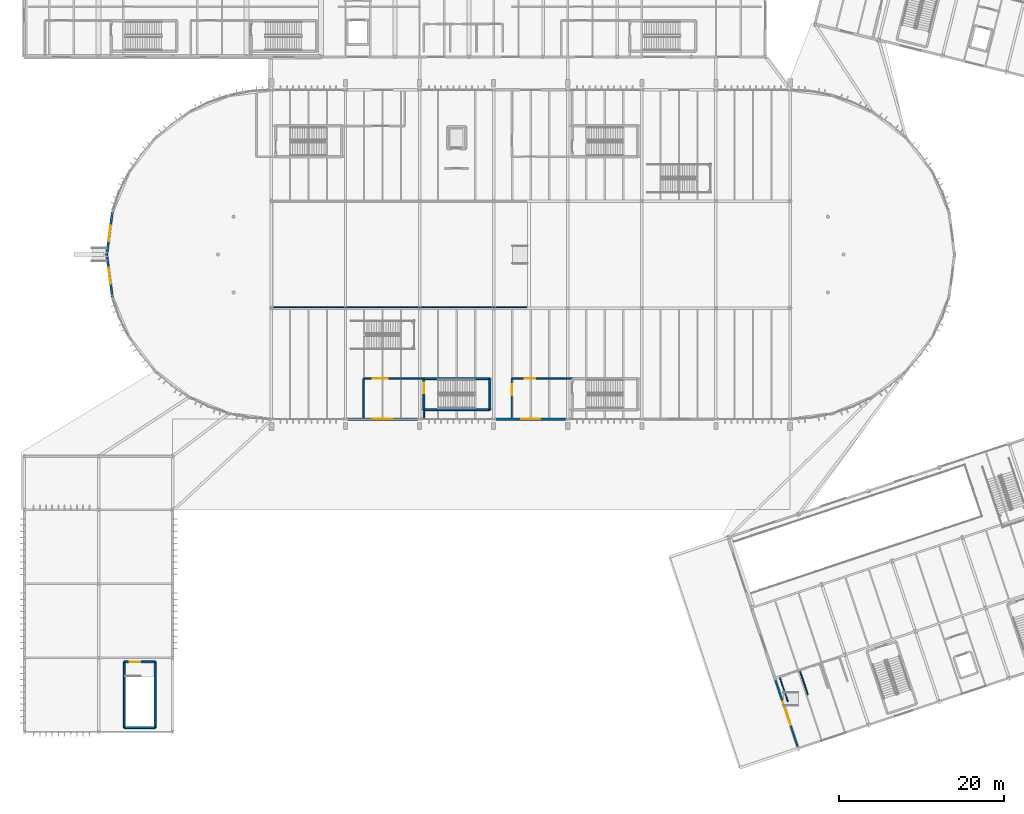
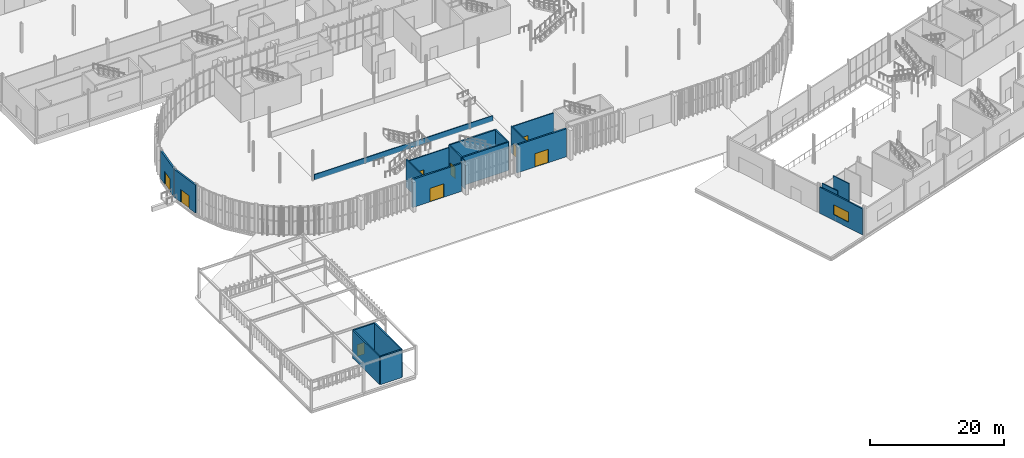
# One storey, part 120 of 158: 21 walls, 9 doors, 1 window, 10 openings.
"""IFC4 building model written with IfcOpenShell, lengths in metres."""

from ifc_helpers import new_model, si_unit, derived_unit, direction, frame, frame_2d, origin, place, context, subcontext, project, spatial, rectangle, extrude, material, layer, layer_set, type_object, element, fill, save


model = new_model("IFC4")

# Units and contexts
model_context = context("Model", 3, precision=1e-05, world=origin(), true_north=direction((0.0, 1.0)))
body_context = subcontext(model_context, "Body", "Model", "MODEL_VIEW")
ifc_project = project(units=[si_unit("LENGTHUNIT", "METRE"), si_unit("AREAUNIT", "SQUARE_METRE"), si_unit("VOLUMEUNIT", "CUBIC_METRE"), si_unit("PLANEANGLEUNIT", "RADIAN"), si_unit("MASSUNIT", "GRAM", prefix="KILO"), si_unit("THERMODYNAMICTEMPERATUREUNIT", "KELVIN"), si_unit("TIMEUNIT", "SECOND"), derived_unit("THERMALTRANSMITTANCEUNIT", [(si_unit("MASSUNIT", "GRAM", prefix="KILO"), 1), (si_unit("THERMODYNAMICTEMPERATUREUNIT", "KELVIN"), -1), (si_unit("TIMEUNIT", "SECOND"), -3)])], contexts=[model_context])

# Site, building, storey
site_placement = place(None, origin())
site = spatial("IfcSite", under=ifc_project, at=site_placement, CompositionType="ELEMENT")
building_placement = place(site_placement, origin())
building = spatial("IfcBuilding", under=site, at=building_placement, Name="Cambertide Market Hall", CompositionType="ELEMENT")
storey_placement = place(building_placement, origin())
storey = spatial("IfcBuildingStorey", under=building, at=storey_placement, Name="L01", CompositionType="ELEMENT", Elevation=0.0)

# Wall, opening, window
ifc_material_1 = material(Name="Autoclaved Aerated Concrete Blockwork M7.5", Category="masonry")
ifc_layer_1 = layer(ifc_material_1, 0.235107421875, Name="Food Court Acoustic Facade Wall 235")
ifc_layer_set_1 = layer_set([ifc_layer_1], Name="Autoclaved Aerated Concrete Blockwork M7.5")
wall_type_1 = type_object("IfcWallType", Name="Food Court Acoustic Facade Wall 235", PredefinedType="SOLIDWALL", material=ifc_layer_set_1)
wall_1_placement = place(storey_placement, frame((105.924072265625, 12.227783203125, 0.0), z_axis=(0.0, 0.0, 1.0), x_axis=(-0.316236362498, 0.948680432514, 0.0)))
wall_1 = element("IfcWall", 1, at=wall_1_placement, inside=storey, type_object=wall_type_1, Name="Level 1 Exterior Wall EW-L01-V3W-1", PredefinedType="SOLIDWALL", context=body_context, shape_type="SweptSolid", body=[
    extrude(rectangle(XDim=8.52001953125, YDim=0.235107421875, at=frame_2d((4.260009765625, 0.0))), origin(), (0.0, 0.0, 1.0), 4.75),
])
opening_1_placement = place(wall_1_placement, frame((2.760009765625, 0.0, 1.050048828125)))
opening_1 = element("IfcOpeningElement", 2, at=opening_1_placement, cuts=wall_1, Name="Opening WN-04", PredefinedType="OPENING", context=body_context, shape_type="SweptSolid", body=[
    extrude(rectangle(XDim=3.0, YDim=1.800048828125, at=frame_2d((1.5, 0.89990234375))), frame((0.0, 0.12744140625, 0.0), z_axis=(0.0, -1.0, 0.0), x_axis=(1.0, 0.0, 0.0)), (0.0, 0.0, 1.0), 0.255126953125),
])
ifc_material_2 = material(Name="Low-E Laminated Insulated Glass", Category="glass")
window_type = type_object("IfcWindowType", Name="Hawker Hall Louvered Window 3000x1800", PartitioningType="SINGLE_PANEL", PredefinedType="WINDOW", material=ifc_material_2)
window_placement = place(opening_1_placement, origin())
window = element("IfcWindow", 3, at=window_placement, inside=storey, type_object=window_type, Name="Level 1 Window EW-L01-V3W-1-WN", OverallHeight=1.800048828125, OverallWidth=3.0, PartitioningType="SINGLE_PANEL", PredefinedType="WINDOW", context=body_context, shape_type="SweptSolid", body=[
    extrude(rectangle(XDim=3.0, YDim=1.800048828125, at=frame_2d((1.5, 0.89990234375))), frame((0.0, 0.030029296875, 0.0), z_axis=(0.0, -1.0, 0.0), x_axis=(1.0, 0.0, 0.0)), (0.0, 0.0, 1.0), 0.06005859375),
])
fill(opening_1, window)

# Wall, opening, door
ifc_material_3 = material(Name="Precast concrete B35", Category="concrete")
ifc_layer_2 = layer(ifc_material_3, 0.280029296875, Name="Load-Bearing Precast Facade Wall 280")
ifc_layer_set_2 = layer_set([ifc_layer_2], Name="Precast concrete B35")
wall_type_2 = type_object("IfcWallType", Name="Load-Bearing Precast Facade Wall 280", PredefinedType="SOLIDWALL", material=ifc_layer_set_2)
wall_2_placement = place(storey_placement, frame((59.75, 52.0, 0.0), z_axis=(0.0, 0.0, 1.0), x_axis=(-1.0, 0.0, 0.0)))
wall_2 = element("IfcWall", 4, at=wall_2_placement, inside=storey, type_object=wall_type_2, Name="Level 1 Exterior Wall EW-L01-V1S-2", PredefinedType="SOLIDWALL", context=body_context, shape_type="SweptSolid", body=[
    extrude(rectangle(XDim=8.5, YDim=0.280029296875, at=frame_2d((4.25, 0.0))), origin(), (0.0, 0.0, 1.0), 5.10009765625),
])
opening_2_placement = place(wall_2_placement, frame((3.074951171875, 0.0, 0.0)))
opening_2 = element("IfcOpeningElement", 5, at=opening_2_placement, cuts=wall_2, Name="Opening ED-02", PredefinedType="OPENING", context=body_context, shape_type="SweptSolid", body=[
    extrude(rectangle(XDim=2.35009765625, YDim=2.449951171875, at=frame_2d((1.175048828125, 1.22509765625))), frame((0.0, 0.14990234375, 0.0), z_axis=(0.0, -1.0, 0.0), x_axis=(1.0, 0.0, 0.0)), (0.0, 0.0, 1.0), 0.300048828125),
])
ifc_material_4 = material(Name="Champagne Marine Anodized Aluminium 6063-T6 AA25", Category="aluminium")
door_type_1 = type_object("IfcDoorType", Name="Market Portal Double Exit Door 2350x2450", OperationType="DOUBLE_DOOR_SINGLE_SWING", PredefinedType="DOOR", material=ifc_material_4)
door_1_placement = place(opening_2_placement, origin())
door_1 = element("IfcDoor", 6, at=door_1_placement, inside=storey, type_object=door_type_1, Name="Level 1 Exterior Door EW-L01-V1S-2-DR", OperationType="DOUBLE_DOOR_SINGLE_SWING", OverallHeight=2.449951171875, OverallWidth=2.35009765625, PredefinedType="DOOR", context=body_context, shape_type="SweptSolid", body=[
    extrude(rectangle(XDim=2.35009765625, YDim=2.449951171875, at=frame_2d((1.175048828125, 1.22509765625))), frame((0.0, 0.02490234375, 0.0), z_axis=(0.0, -1.0, 0.0), x_axis=(1.0, 0.0, 0.0)), (0.0, 0.0, 1.0), 0.050048828125),
])
fill(opening_2, door_1)

wall_3_placement = place(storey_placement, frame((77.75, 52.0, 0.0), z_axis=(0.0, 0.0, 1.0), x_axis=(-1.0, 0.0, 0.0)))
wall_3 = element("IfcWall", 7, at=wall_3_placement, inside=storey, type_object=wall_type_2, Name="Level 1 Exterior Wall EW-L01-V1S-4", PredefinedType="SOLIDWALL", context=body_context, shape_type="SweptSolid", body=[
    extrude(rectangle(XDim=8.5, YDim=0.280029296875, at=frame_2d((4.25, 0.0))), origin(), (0.0, 0.0, 1.0), 5.10009765625),
])
opening_3_placement = place(wall_3_placement, frame((3.074951171875, 0.0, 0.0)))
opening_3 = element("IfcOpeningElement", 8, at=opening_3_placement, cuts=wall_3, Name="Opening ED-02", PredefinedType="OPENING", context=body_context, shape_type="SweptSolid", body=[
    extrude(rectangle(XDim=2.35009765625, YDim=2.449951171875, at=frame_2d((1.175048828125, 1.22509765625))), frame((0.0, 0.14990234375, 0.0), z_axis=(0.0, -1.0, 0.0), x_axis=(1.0, 0.0, 0.0)), (0.0, 0.0, 1.0), 0.300048828125),
])
door_2_placement = place(opening_3_placement, origin())
door_2 = element("IfcDoor", 9, at=door_2_placement, inside=storey, type_object=door_type_1, Name="Level 1 Exterior Door EW-L01-V1S-4-DR", OperationType="DOUBLE_DOOR_SINGLE_SWING", OverallHeight=2.449951171875, OverallWidth=2.35009765625, PredefinedType="DOOR", context=body_context, shape_type="SweptSolid", body=[
    extrude(rectangle(XDim=2.35009765625, YDim=2.449951171875, at=frame_2d((1.175048828125, 1.22509765625))), frame((0.0, 0.02490234375, 0.0), z_axis=(0.0, -1.0, 0.0), x_axis=(1.0, 0.0, 0.0)), (0.0, 0.0, 1.0), 0.050048828125),
])
fill(opening_3, door_2)

wall_4_placement = place(storey_placement, frame((22.0, 72.0, 0.0), z_axis=(0.0, 0.0, 1.0), x_axis=(0.130512574825, 0.991446654043, 0.0)))
wall_4 = element("IfcWall", 10, at=wall_4_placement, inside=storey, type_object=wall_type_2, Name="Level 1 Exterior Wall EW-L01-V1AW-P10", PredefinedType="SOLIDWALL", context=body_context, shape_type="SweptSolid", body=[
    extrude(rectangle(XDim=5.220947265625, YDim=0.280029296875, at=frame_2d((2.6103515625, 0.0))), origin(), (0.0, 0.0, 1.0), 5.10009765625),
])
opening_4_placement = place(wall_4_placement, frame((1.610595703125, 0.0, 0.0)))
opening_4 = element("IfcOpeningElement", 11, at=opening_4_placement, cuts=wall_4, Name="Opening ED-01", PredefinedType="OPENING", context=body_context, shape_type="SweptSolid", body=[
    extrude(rectangle(XDim=2.0, YDim=2.300048828125, at=frame_2d((1.0, 1.14990234375))), frame((0.0, 0.14990234375, 0.0), z_axis=(0.0, -1.0, 0.0), x_axis=(1.0, 0.0, 0.0)), (0.0, 0.0, 1.0), 0.300048828125),
])
ifc_material_5 = material(Name="Champagne Marine Anodized Aluminium 6063-T6 AA25", Category="aluminium")
door_type_2 = type_object("IfcDoorType", Name="Final Exit Double Door 2000x2300", OperationType="DOUBLE_DOOR_SINGLE_SWING", PredefinedType="DOOR", material=ifc_material_5)
door_3_placement = place(opening_4_placement, origin())
door_3 = element("IfcDoor", 12, at=door_3_placement, inside=storey, type_object=door_type_2, Name="Level 1 Exterior Door EW-L01-V1AW-P10-DR", OperationType="DOUBLE_DOOR_SINGLE_SWING", OverallHeight=2.300048828125, OverallWidth=2.0, PredefinedType="DOOR", context=body_context, shape_type="SweptSolid", body=[
    extrude(rectangle(XDim=2.0, YDim=2.300048828125, at=frame_2d((1.0, 1.14990234375))), frame((0.0, 0.02490234375, 0.0), z_axis=(0.0, -1.0, 0.0), x_axis=(1.0, 0.0, 0.0)), (0.0, 0.0, 1.0), 0.050048828125),
])
fill(opening_4, door_3)

wall_5_placement = place(storey_placement, frame((22.681396484375, 66.82373046875, 0.0), z_axis=(0.0, 0.0, 1.0), x_axis=(-0.130512574825, 0.991446654043, 0.0)))
wall_5 = element("IfcWall", 13, at=wall_5_placement, inside=storey, type_object=wall_type_2, Name="Level 1 Exterior Wall EW-L01-V1AW-P12", PredefinedType="SOLIDWALL", context=body_context, shape_type="SweptSolid", body=[
    extrude(rectangle(XDim=5.220947265625, YDim=0.280029296875, at=frame_2d((2.6103515625, 0.0))), origin(), (0.0, 0.0, 1.0), 5.10009765625),
])
opening_5_placement = place(wall_5_placement, frame((1.610595703125, 0.0, 0.0)))
opening_5 = element("IfcOpeningElement", 14, at=opening_5_placement, cuts=wall_5, Name="Opening ED-01", PredefinedType="OPENING", context=body_context, shape_type="SweptSolid", body=[
    extrude(rectangle(XDim=2.0, YDim=2.300048828125, at=frame_2d((1.0, 1.14990234375))), frame((0.0, 0.14990234375, 0.0), z_axis=(0.0, -1.0, 0.0), x_axis=(1.0, 0.0, 0.0)), (0.0, 0.0, 1.0), 0.300048828125),
])
door_4_placement = place(opening_5_placement, origin())
door_4 = element("IfcDoor", 15, at=door_4_placement, inside=storey, type_object=door_type_2, Name="Level 1 Exterior Door EW-L01-V1AW-P12-DR", OperationType="DOUBLE_DOOR_SINGLE_SWING", OverallHeight=2.300048828125, OverallWidth=2.0, PredefinedType="DOOR", context=body_context, shape_type="SweptSolid", body=[
    extrude(rectangle(XDim=2.0, YDim=2.300048828125, at=frame_2d((1.0, 1.14990234375))), frame((0.0, 0.02490234375, 0.0), z_axis=(0.0, -1.0, 0.0), x_axis=(1.0, 0.0, 0.0)), (0.0, 0.0, 1.0), 0.050048828125),
])
fill(opening_5, door_4)

# Wall
ifc_material_6 = material(Name="Autoclaved Aerated Concrete Blockwork M7.5", Category="masonry")
ifc_layer_3 = layer(ifc_material_6, 0.1650390625, Name="Protected Exit Passageway Fire Wall 165")
ifc_layer_set_3 = layer_set([ifc_layer_3], Name="Autoclaved Aerated Concrete Blockwork M7.5")
wall_type_3 = type_object("IfcWallType", Name="Protected Exit Passageway Fire Wall 165", PredefinedType="PARTITIONING", material=ifc_layer_set_3)
wall_6_placement = place(storey_placement, frame((53.199951171875, 52.14990234375, 0.0), z_axis=(0.0, 0.0, 1.0), x_axis=(0.0, 1.0, 0.0)))
element("IfcWall", 16, at=wall_6_placement, inside=storey, type_object=wall_type_3, Name="Level 1 Interior Wall EXW-ST02-W", PredefinedType="PARTITIONING", context=body_context, shape_type="SweptSolid", body=[
    extrude(rectangle(XDim=4.775146484375, YDim=0.1650390625, at=frame_2d((2.3876953125, 0.0))), origin(), (0.0, 0.0, 1.0), 5.080078125),
])

# Wall, opening, door
wall_7_placement = place(storey_placement, frame((53.199951171875, 56.925048828125, 0.0), z_axis=(0.0, 0.0, 1.0), x_axis=(1.0, 0.0, 0.0)))
wall_7 = element("IfcWall", 17, at=wall_7_placement, inside=storey, type_object=wall_type_3, Name="Level 1 Interior Wall EXW-ST02-N", PredefinedType="PARTITIONING", context=body_context, shape_type="SweptSolid", body=[
    extrude(rectangle(XDim=7.324951171875, YDim=0.1650390625, at=frame_2d((3.66259765625, 0.0))), origin(), (0.0, 0.0, 1.0), 4.7099609375),
])
opening_6_placement = place(wall_7_placement, frame((1.10498046875, 0.0, 0.0)))
opening_6 = element("IfcOpeningElement", 18, at=opening_6_placement, cuts=wall_7, Name="Opening FD-02", PredefinedType="OPENING", context=body_context, shape_type="SweptSolid", body=[
    extrude(rectangle(XDim=1.800048828125, YDim=2.199951171875, at=frame_2d((0.89990234375, 1.10009765625))), frame((0.0, 0.092529296875, 0.0), z_axis=(0.0, -1.0, 0.0), x_axis=(1.0, 0.0, 0.0)), (0.0, 0.0, 1.0), 0.18505859375),
])
ifc_material_7 = material(Name="Powder-Coated Galvanized Sheet Metal", Category="metal")
door_type_3 = type_object("IfcDoorType", Name="Compartment Double Fire Door 1800x2200", OperationType="DOUBLE_DOOR_SINGLE_SWING", PredefinedType="DOOR", material=ifc_material_7)
door_5_placement = place(opening_6_placement, origin())
door_5 = element("IfcDoor", 19, at=door_5_placement, inside=storey, type_object=door_type_3, Name="Level 1 Door EXW-ST02-N-DR1", OperationType="DOUBLE_DOOR_SINGLE_SWING", OverallHeight=2.199951171875, OverallWidth=1.800048828125, PredefinedType="DOOR", context=body_context, shape_type="SweptSolid", body=[
    extrude(rectangle(XDim=1.800048828125, YDim=2.199951171875, at=frame_2d((0.89990234375, 1.10009765625))), frame((0.0, 0.02490234375, 0.0), z_axis=(0.0, -1.0, 0.0), x_axis=(1.0, 0.0, 0.0)), (0.0, 0.0, 1.0), 0.050048828125),
])
fill(opening_6, door_5)

# Wall
wall_8_placement = place(storey_placement, frame((60.52490234375, 52.14990234375, 0.0), z_axis=(0.0, 0.0, 1.0), x_axis=(0.0, 1.0, 0.0)))
element("IfcWall", 20, at=wall_8_placement, inside=storey, type_object=wall_type_3, Name="Level 1 Interior Wall EXW-ST02-E", PredefinedType="PARTITIONING", context=body_context, shape_type="SweptSolid", body=[
    extrude(rectangle(XDim=1.025146484375, YDim=0.1650390625, at=frame_2d((0.5126953125, 0.0))), origin(), (0.0, 0.0, 1.0), 5.080078125),
])

# Wall, opening, door
wall_9_placement = place(storey_placement, frame((71.199951171875, 52.14990234375, 0.0), z_axis=(0.0, 0.0, 1.0), x_axis=(0.0, 1.0, 0.0)))
wall_9 = element("IfcWall", 21, at=wall_9_placement, inside=storey, type_object=wall_type_3, Name="Level 1 Interior Wall EXW-ST02B-W", PredefinedType="PARTITIONING", context=body_context, shape_type="SweptSolid", body=[
    extrude(rectangle(XDim=4.775146484375, YDim=0.1650390625, at=frame_2d((2.3876953125, 0.0))), origin(), (0.0, 0.0, 1.0), 4.860107421875),
])
opening_7_placement = place(wall_9_placement, frame((2.780029296875, 0.0, 0.0)))
opening_7 = element("IfcOpeningElement", 22, at=opening_7_placement, cuts=wall_9, Name="Opening FD-01", PredefinedType="OPENING", context=body_context, shape_type="SweptSolid", body=[
    extrude(rectangle(XDim=1.300048828125, YDim=2.14990234375, at=frame_2d((0.64990234375, 1.074951171875))), frame((0.0, 0.092529296875, 0.0), z_axis=(0.0, -1.0, 0.0), x_axis=(1.0, 0.0, 0.0)), (0.0, 0.0, 1.0), 0.18505859375),
])
ifc_material_8 = material(Name="Powder-Coated Galvanized Sheet Metal", Category="metal")
door_type_4 = type_object("IfcDoorType", Name="Stair Core Fire Door 1300x2150", OperationType="NOTDEFINED", PredefinedType="DOOR", material=ifc_material_8)
door_6_placement = place(opening_7_placement, origin())
door_6 = element("IfcDoor", 23, at=door_6_placement, inside=storey, type_object=door_type_4, Name="Level 1 Door EXW-ST02B-W-DR1", OperationType="SINGLE_SWING_RIGHT", OverallHeight=2.14990234375, OverallWidth=1.300048828125, PredefinedType="DOOR", context=body_context, shape_type="SweptSolid", body=[
    extrude(rectangle(XDim=1.300048828125, YDim=2.14990234375, at=frame_2d((0.64990234375, 1.074951171875))), frame((0.0, 0.02490234375, 0.0), z_axis=(0.0, -1.0, 0.0), x_axis=(1.0, 0.0, 0.0)), (0.0, 0.0, 1.0), 0.050048828125),
])
fill(opening_7, door_6)

wall_10_placement = place(storey_placement, frame((71.199951171875, 56.925048828125, 0.0), z_axis=(0.0, 0.0, 1.0), x_axis=(1.0, 0.0, 0.0)))
wall_10 = element("IfcWall", 24, at=wall_10_placement, inside=storey, type_object=wall_type_3, Name="Level 1 Interior Wall EXW-ST02B-N", PredefinedType="PARTITIONING", context=body_context, shape_type="SweptSolid", body=[
    extrude(rectangle(XDim=7.324951171875, YDim=0.1650390625, at=frame_2d((3.66259765625, 0.0))), origin(), (0.0, 0.0, 1.0), 4.7099609375),
])
opening_8_placement = place(wall_10_placement, frame((1.56640625, 0.0, 0.0)))
opening_8 = element("IfcOpeningElement", 25, at=opening_8_placement, cuts=wall_10, Name="Opening FD-01", PredefinedType="OPENING", context=body_context, shape_type="SweptSolid", body=[
    extrude(rectangle(XDim=1.300048828125, YDim=2.14990234375, at=frame_2d((0.64990234375, 1.074951171875))), frame((0.0, 0.092529296875, 0.0), z_axis=(0.0, -1.0, 0.0), x_axis=(1.0, 0.0, 0.0)), (0.0, 0.0, 1.0), 0.18505859375),
])
door_7_placement = place(opening_8_placement, origin())
door_7 = element("IfcDoor", 26, at=door_7_placement, inside=storey, type_object=door_type_4, Name="Level 1 Door EXW-ST02B-N-DR1", OperationType="SINGLE_SWING_LEFT", OverallHeight=2.14990234375, OverallWidth=1.300048828125, PredefinedType="DOOR", context=body_context, shape_type="SweptSolid", body=[
    extrude(rectangle(XDim=1.300048828125, YDim=2.14990234375, at=frame_2d((0.64990234375, 1.074951171875))), frame((0.0, 0.02490234375, 0.0), z_axis=(0.0, -1.0, 0.0), x_axis=(1.0, 0.0, 0.0)), (0.0, 0.0, 1.0), 0.050048828125),
])
fill(opening_8, door_7)

# Walls
ifc_material_9 = material(Name="Autoclaved Aerated Concrete Blockwork M7.5", Category="masonry")
ifc_layer_4 = layer(ifc_material_9, 0.139892578125, Name="Sanitary & Wet-Area Masonry Partition 140")
ifc_layer_set_4 = layer_set([ifc_layer_4], Name="Autoclaved Aerated Concrete Blockwork M7.5")
wall_type_4 = type_object("IfcWallType", Name="Sanitary & Wet-Area Masonry Partition 140", PredefinedType="PARTITIONING", material=ifc_layer_set_4)
for number, where, z_axis, x_axis, name in (
    (27, (107.173095703125, 18.5048828125, 0.0), (0.0, 0.0, 1.0), (-0.316204139208, 0.948691173326, 0.0), "Level 1 Interior Wall WCW-L01-L01B-D1"),
    (28, (104.735107421875, 17.692138671875, 0.0), (0.0, 0.0, 1.0), (-0.316204139208, 0.948691173326, 0.0), "Level 1 Interior Wall WCW-L01-L01B-L"),
):
    element("IfcWall", number, at=place(storey_placement, frame(where, z_axis=z_axis, x_axis=x_axis)), inside=storey, type_object=wall_type_4, Name=name, PredefinedType="PARTITIONING", context=body_context, shape_type="SweptSolid", body=[
        extrude(rectangle(XDim=3.099853515625, YDim=0.139892578125, at=frame_2d((1.5498046875, 0.0))), origin(), (0.0, 0.0, 1.0), 5.080078125),
    ])

# Wall, opening, door
ifc_material_10 = material(Name="Concrete B35", Category="concrete")
ifc_layer_5 = layer(ifc_material_10, 0.239990234375, Name="Stair & Lift Core Shaft Wall 240")
ifc_layer_set_5 = layer_set([ifc_layer_5], Name="Concrete B35")
wall_type_5 = type_object("IfcWallType", Name="Stair & Lift Core Shaft Wall 240", PredefinedType="SOLIDWALL", material=ifc_layer_set_5)
wall_11_placement = place(storey_placement, frame((60.52490234375, 53.175048828125, 0.0), z_axis=(0.0, 0.0, 1.0), x_axis=(0.0, 1.0, 0.0)))
wall_11 = element("IfcWall", 29, at=wall_11_placement, inside=storey, type_object=wall_type_5, Name="Level 1 Interior Wall SHW-ST-02-L01-NEAR", PredefinedType="SOLIDWALL", context=body_context, shape_type="SweptSolid", body=[
    extrude(rectangle(XDim=3.75, YDim=0.239990234375, at=frame_2d((1.875, 0.0))), origin(), (0.0, 0.0, 1.0), 5.159912109375),
])
opening_9_placement = place(wall_11_placement, frame((1.9599609375, 0.0, 0.0)))
opening_9 = element("IfcOpeningElement", 30, at=opening_9_placement, cuts=wall_11, Name="Opening FD-01", PredefinedType="OPENING", context=body_context, shape_type="SweptSolid", body=[
    extrude(rectangle(XDim=1.300048828125, YDim=2.14990234375, at=frame_2d((0.64990234375, 1.074951171875))), frame((0.0, 0.1298828125, 0.0), z_axis=(0.0, -1.0, 0.0), x_axis=(1.0, 0.0, 0.0)), (0.0, 0.0, 1.0), 0.260009765625),
])
door_8_placement = place(opening_9_placement, origin())
door_8 = element("IfcDoor", 31, at=door_8_placement, inside=storey, type_object=door_type_4, Name="Level 1 Door SHW-ST-02-L01-NEAR-DR1", OperationType="SINGLE_SWING_LEFT", OverallHeight=2.14990234375, OverallWidth=1.300048828125, PredefinedType="DOOR", context=body_context, shape_type="SweptSolid", body=[
    extrude(rectangle(XDim=1.300048828125, YDim=2.14990234375, at=frame_2d((0.64990234375, 1.074951171875))), frame((0.0, 0.02490234375, 0.0), z_axis=(0.0, -1.0, 0.0), x_axis=(1.0, 0.0, 0.0)), (0.0, 0.0, 1.0), 0.050048828125),
])
fill(opening_9, door_8)

# Walls
wall_12_placement = place(storey_placement, frame((68.52490234375, 53.175048828125, 0.0), z_axis=(0.0, 0.0, 1.0), x_axis=(-1.0, 0.0, 0.0)))
element("IfcWall", 32, at=wall_12_placement, inside=storey, type_object=wall_type_5, Name="Level 1 Interior Wall SHW-ST-02-L01-L", PredefinedType="SOLIDWALL", context=body_context, shape_type="SweptSolid", body=[
    extrude(rectangle(XDim=8.0, YDim=0.239990234375, at=frame_2d((4.0, 0.0))), origin(), (0.0, 0.0, 1.0), 5.159912109375),
])
wall_13_placement = place(storey_placement, frame((68.52490234375, 56.925048828125, 0.0), z_axis=(0.0, 0.0, 1.0), x_axis=(0.0, -1.0, 0.0)))
element("IfcWall", 33, at=wall_13_placement, inside=storey, type_object=wall_type_5, Name="Level 1 Interior Wall SHW-ST-02-L01-FAR", PredefinedType="SOLIDWALL", context=body_context, shape_type="SweptSolid", body=[
    extrude(rectangle(XDim=3.75, YDim=0.239990234375, at=frame_2d((1.875, 0.0))), origin(), (0.0, 0.0, 1.0), 5.159912109375),
])
wall_14_placement = place(storey_placement, frame((60.52490234375, 56.925048828125, 0.0), z_axis=(0.0, 0.0, 1.0), x_axis=(1.0, 0.0, 0.0)))
element("IfcWall", 34, at=wall_14_placement, inside=storey, type_object=wall_type_5, Name="Level 1 Interior Wall SHW-ST-02-L01-R", PredefinedType="SOLIDWALL", context=body_context, shape_type="SweptSolid", body=[
    extrude(rectangle(XDim=8.0, YDim=0.239990234375, at=frame_2d((4.0, 0.0))), origin(), (0.0, 0.0, 1.0), 5.159912109375),
])

# Wall, opening, door
wall_15_placement = place(storey_placement, frame((24.125, 22.52490234375, 0.0), z_axis=(0.0, 0.0, 1.0), x_axis=(1.0, 0.0, 0.0)))
wall_15 = element("IfcWall", 35, at=wall_15_placement, inside=storey, type_object=wall_type_5, Name="Level 1 Interior Wall SHW-ST-04B-L01-NEAR", PredefinedType="SOLIDWALL", context=body_context, shape_type="SweptSolid", body=[
    extrude(rectangle(XDim=3.75, YDim=0.239990234375, at=frame_2d((1.875, 0.0))), origin(), (0.0, 0.0, 1.0), 5.080078125),
])
opening_10_placement = place(wall_15_placement, frame((0.636962890625, 0.0, 0.0)))
opening_10 = element("IfcOpeningElement", 36, at=opening_10_placement, cuts=wall_15, Name="Opening FD-01", PredefinedType="OPENING", context=body_context, shape_type="SweptSolid", body=[
    extrude(rectangle(XDim=1.300048828125, YDim=2.14990234375, at=frame_2d((0.64990234375, 1.074951171875))), frame((0.0, 0.1298828125, 0.0), z_axis=(0.0, -1.0, 0.0), x_axis=(1.0, 0.0, 0.0)), (0.0, 0.0, 1.0), 0.260009765625),
])
door_9_placement = place(opening_10_placement, origin())
door_9 = element("IfcDoor", 37, at=door_9_placement, inside=storey, type_object=door_type_4, Name="Level 1 Door SHW-ST-04B-L01-NEAR-DR1", OperationType="SINGLE_SWING_LEFT", OverallHeight=2.14990234375, OverallWidth=1.300048828125, PredefinedType="DOOR", context=body_context, shape_type="SweptSolid", body=[
    extrude(rectangle(XDim=1.300048828125, YDim=2.14990234375, at=frame_2d((0.64990234375, 1.074951171875))), frame((0.0, 0.02490234375, 0.0), z_axis=(0.0, -1.0, 0.0), x_axis=(1.0, 0.0, 0.0)), (0.0, 0.0, 1.0), 0.050048828125),
])
fill(opening_10, door_9)

# Walls
wall_16_placement = place(storey_placement, frame((24.125, 14.52490234375, 0.0), z_axis=(0.0, 0.0, 1.0), x_axis=(0.0, 1.0, 0.0)))
element("IfcWall", 38, at=wall_16_placement, inside=storey, type_object=wall_type_5, Name="Level 1 Interior Wall SHW-ST-04B-L01-L", PredefinedType="SOLIDWALL", context=body_context, shape_type="SweptSolid", body=[
    extrude(rectangle(XDim=8.0, YDim=0.239990234375, at=frame_2d((4.0, 0.0))), origin(), (0.0, 0.0, 1.0), 5.080078125),
])
wall_17_placement = place(storey_placement, frame((27.875, 14.52490234375, 0.0), z_axis=(0.0, 0.0, 1.0), x_axis=(-1.0, 0.0, 0.0)))
element("IfcWall", 39, at=wall_17_placement, inside=storey, type_object=wall_type_5, Name="Level 1 Interior Wall SHW-ST-04B-L01-FAR", PredefinedType="SOLIDWALL", context=body_context, shape_type="SweptSolid", body=[
    extrude(rectangle(XDim=3.75, YDim=0.239990234375, at=frame_2d((1.875, 0.0))), origin(), (0.0, 0.0, 1.0), 5.080078125),
])
wall_18_placement = place(storey_placement, frame((27.875, 22.52490234375, 0.0), z_axis=(0.0, 0.0, 1.0), x_axis=(0.0, -1.0, 0.0)))
element("IfcWall", 40, at=wall_18_placement, inside=storey, type_object=wall_type_5, Name="Level 1 Interior Wall SHW-ST-04B-L01-R", PredefinedType="SOLIDWALL", context=body_context, shape_type="SweptSolid", body=[
    extrude(rectangle(XDim=8.0, YDim=0.239990234375, at=frame_2d((4.0, 0.0))), origin(), (0.0, 0.0, 1.0), 5.080078125),
])
ifc_material_11 = material(Name="Concrete B30", Category="concrete")
ifc_layer_6 = layer(ifc_material_11, 0.135009765625, Name="Wet-Market Washdown Splash Kerb 135")
ifc_layer_set_6 = layer_set([ifc_layer_6], Name="Concrete B30")
wall_type_6 = type_object("IfcWallType", Name="Wet-Market Washdown Splash Kerb 135", PredefinedType="PARTITIONING", material=ifc_layer_set_6)
wall_19_placement = place(storey_placement, frame((73.0, 65.60009765625, -0.14990234375), z_axis=(0.0, 0.0, 1.0), x_axis=(-1.0, 0.0, 0.0)))
element("IfcWall", 41, at=wall_19_placement, inside=storey, type_object=wall_type_6, Name="KRB-L01-WET-S", PredefinedType="PARTITIONING", context=body_context, shape_type="SweptSolid", body=[
    extrude(rectangle(XDim=30.699951171875, YDim=0.135009765625, at=frame_2d((15.35009765625, 0.0))), origin(), (0.0, 0.0, 1.0), 1.0),
])

save(model, "model.ifc")
